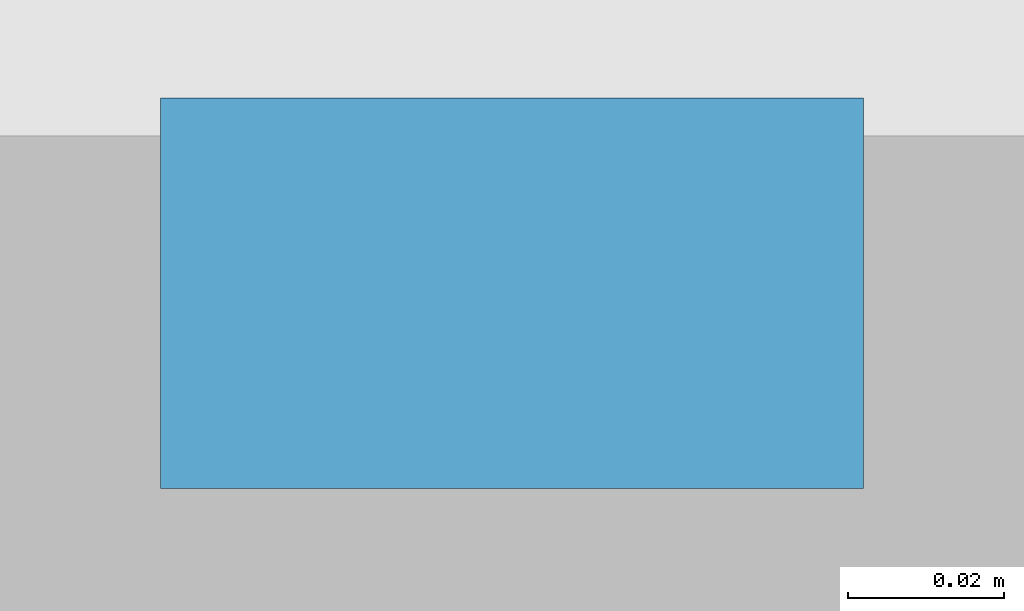
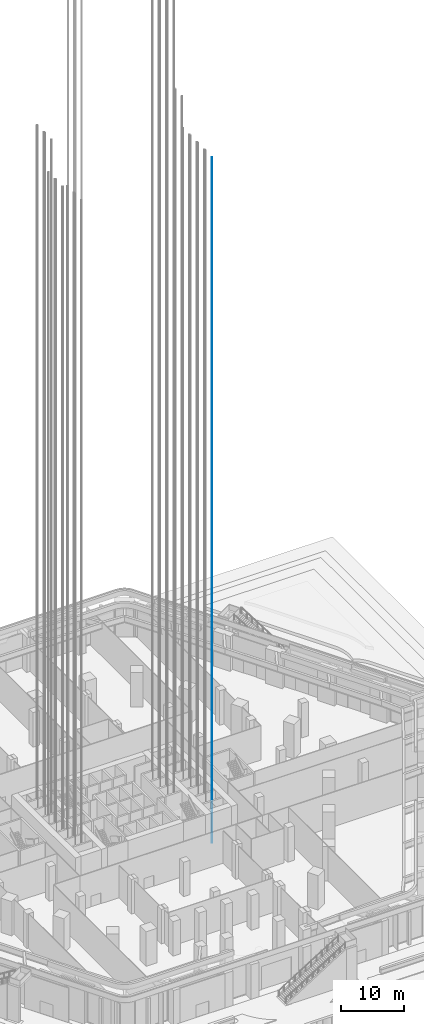
# One storey, part 43 of 68: 1 discrete accessory.
"""IFC4 building model written with IfcOpenShell, lengths in metres."""

from ifc_helpers import new_model, si_unit, direction, frame, origin, origin_2d, place, context, subcontext, project, spatial, rectangle, extrude, element, save


model = new_model("IFC4")

# Units and contexts
model_context = context("Model", 3, precision=1e-05, world=origin(), true_north=direction((0.0, 1.0)))
body_context = subcontext(model_context, "Body", "Model", "MODEL_VIEW")
ifc_project = project(units=[si_unit("LENGTHUNIT", "METRE"), si_unit("AREAUNIT", "SQUARE_METRE"), si_unit("VOLUMEUNIT", "CUBIC_METRE"), si_unit("PLANEANGLEUNIT", "RADIAN"), si_unit("MASSUNIT", "GRAM", prefix="KILO")], contexts=[model_context])

# Site, building, storey
site_placement = place(None, origin())
site = spatial("IfcSite", under=ifc_project, at=site_placement, CompositionType="ELEMENT")
building_placement = place(site_placement, origin())
building = spatial("IfcBuilding", under=site, at=building_placement, Name="Kolab Exchange Tower", CompositionType="ELEMENT")
storey_placement = place(building_placement, origin())
storey = spatial("IfcBuildingStorey", under=building, at=storey_placement, Name="L00", CompositionType="ELEMENT", Elevation=0.0)

# Discrete accessory
discrete_accessory_placement = place(storey_placement, frame((12.0, -7.070068359375, -1.599853515625), z_axis=(0.0, 0.0, 1.0), x_axis=(1.0, 0.0, 0.0)))
element("IfcDiscreteAccessory", 1, at=discrete_accessory_placement, inside=storey, Name="Guide rail LR1-1", ObjectType="GUIDE RAIL", PredefinedType="USERDEFINED", context=body_context, shape_type="SweptSolid", body=[
    extrude(rectangle(XDim=0.090087890625, YDim=0.050048828125, at=origin_2d()), origin(), (0.0, 0.0, 1.0), 133.39990234375),
])

save(model, "model.ifc")
